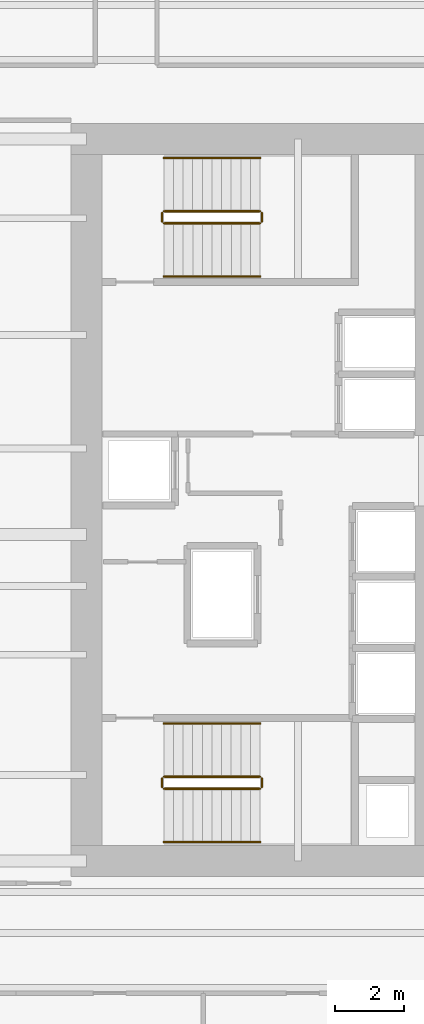
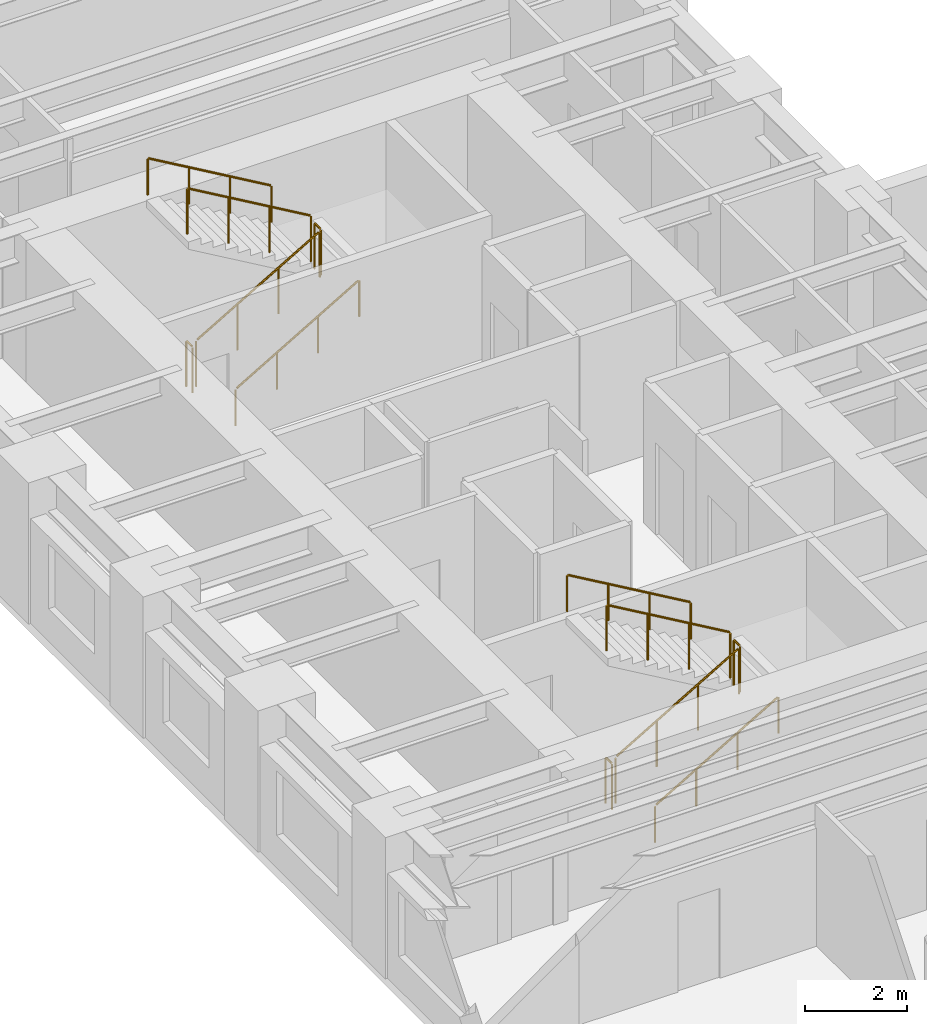
# One storey, part 13 of 14: 12 railings.
"""IFC4 building model written with IfcOpenShell, lengths in metres."""

from ifc_helpers import new_model, si_unit, direction, frame, origin, origin_2d, place, context, subcontext, project, spatial, circle, extrude, source, transform, mapped, material, layer, layer_set, type_object, element, save


model = new_model("IFC4")

# Units and contexts
model_context = context("Model", 3, precision=1e-05, world=origin(), true_north=direction((0.0, 1.0)))
body_context = subcontext(model_context, "Body", "Model", "MODEL_VIEW")
ifc_project = project(units=[si_unit("LENGTHUNIT", "METRE"), si_unit("AREAUNIT", "SQUARE_METRE"), si_unit("VOLUMEUNIT", "CUBIC_METRE"), si_unit("PLANEANGLEUNIT", "RADIAN"), si_unit("MASSUNIT", "GRAM", prefix="KILO")], contexts=[model_context])

# Site, building, storey
site_placement = place(None, origin())
site = spatial("IfcSite", under=ifc_project, at=site_placement, CompositionType="ELEMENT")
building_placement = place(site_placement, origin())
building = spatial("IfcBuilding", under=site, at=building_placement, Name="Kharzan Plaza Tower", CompositionType="ELEMENT")
storey_placement = place(building_placement, frame((0.0, 0.0, 44.10009765625)))
storey = spatial("IfcBuildingStorey", under=building, at=storey_placement, Name="L11", CompositionType="ELEMENT", Elevation=44.10009765625)

# Railings
ifc_material_1 = material(Name="Painted Galvanized Architectural Steel", Category="steel")
ifc_layer_1 = layer(ifc_material_1, 0.074951171875)
ifc_layer_set_1 = layer_set([ifc_layer_1], Name="Painted Galvanized Architectural Steel")
railing_type_1 = type_object("IfcRailingType", Name="RL-GUARD-1120", PredefinedType="BALUSTRADE", material=ifc_layer_set_1)
shared_shape_1 = source(origin(), body_context, "Body", "SweptSolid", [
    extrude(circle(Radius=0.02392578125, at=origin_2d()), frame((0.0, 0.0263671875, 1.09619140625), z_axis=(0.0, 1.0, 0.0), x_axis=(-1.0, 0.0, 0.0)), (0.0, 0.0, 1.0), 0.197021484375),
    extrude(circle(Radius=0.02099609375, at=origin_2d()), origin(), (0.0, 0.0, 1.0), 1.072021484375),
    extrude(circle(Radius=0.02099609375, at=origin_2d()), frame((0.0, 0.25, 0.0)), (0.0, 0.0, 1.0), 1.072021484375),
])
for number, where, name in (
    (1, (9.60009765625, 10.64990234375, 1.7998046875), "L11 ST-1 stair guard 2"),
    (2, (6.699951171875, 10.64990234375, 0.0), "L11 ST-1 stair guard 4"),
    (3, (9.60009765625, 27.10009765625, 1.7998046875), "L11 ST-2 stair guard 2"),
    (4, (6.699951171875, 27.10009765625, 0.0), "L11 ST-2 stair guard 4"),
):
    element("IfcRailing", number, at=place(storey_placement, frame(where)), inside=storey, type_object=railing_type_1, Name=name, PredefinedType="BALUSTRADE", context=body_context, shape_type="MappedRepresentation", body=[
        mapped(shared_shape_1, transform((0.0, 0.0, 0.0), x_axis=(1.0, 0.0, 0.0), y_axis=(0.0, 1.0, 0.0), z_axis=(0.0, 0.0, 1.0))),
    ])
shared_shape_2 = source(origin(), body_context, "Body", "SweptSolid", [
    extrude(circle(Radius=0.02392578125, at=origin_2d()), frame((0.02294921875, 0.0, 1.109375), z_axis=(0.863393664356, 0.0, 0.504530851732), x_axis=(0.0, 1.0, 0.0)), (0.0, 0.0, 1.0), 3.190185546875),
    extrude(circle(Radius=0.02099609375, at=origin_2d()), origin(), (0.0, 0.0, 1.0), 1.072021484375),
    extrude(circle(Radius=0.02099609375, at=origin_2d()), frame((0.933349609375, 0.0, 0.54541015625)), (0.0, 0.0, 1.0), 1.072021484375),
    extrude(circle(Radius=0.02099609375, at=origin_2d()), frame((1.86669921875, 0.0, 1.0908203125)), (0.0, 0.0, 1.0), 1.072021484375),
    extrude(circle(Radius=0.02099609375, at=origin_2d()), frame((2.800048828125, 0.0, 1.63623046875)), (0.0, 0.0, 1.0), 1.072021484375),
])
for number, where, name in (
    (5, (6.75, 10.60009765625, 0.16357421875), "L11 ST-1 stair guard 1"),
    (6, (6.75, 27.050048828125, 0.16357421875), "L11 ST-2 stair guard 1"),
):
    element("IfcRailing", number, at=place(storey_placement, frame(where)), inside=storey, type_object=railing_type_1, Name=name, PredefinedType="BALUSTRADE", context=body_context, shape_type="MappedRepresentation", body=[
        mapped(shared_shape_2, transform((0.0, 0.0, 0.0), x_axis=(1.0, 0.0, 0.0), y_axis=(0.0, 1.0, 0.0), z_axis=(0.0, 0.0, 1.0))),
    ])
shared_shape_3 = source(origin(), body_context, "Body", "SweptSolid", [
    extrude(circle(Radius=0.02392578125, at=origin_2d()), frame((-0.02294921875, 0.0, 1.109375), z_axis=(-0.863393664356, 0.0, 0.504530851732), x_axis=(0.0, -1.0, 0.0)), (0.0, 0.0, 1.0), 3.190185546875),
    extrude(circle(Radius=0.02099609375, at=origin_2d()), origin(), (0.0, 0.0, 1.0), 1.072021484375),
    extrude(circle(Radius=0.02099609375, at=origin_2d()), frame((-0.933349609375, 0.0, 0.54541015625)), (0.0, 0.0, 1.0), 1.072021484375),
    extrude(circle(Radius=0.02099609375, at=origin_2d()), frame((-1.86669921875, 0.0, 1.0908203125)), (0.0, 0.0, 1.0), 1.072021484375),
    extrude(circle(Radius=0.02099609375, at=origin_2d()), frame((-2.800048828125, 0.0, 1.63623046875)), (0.0, 0.0, 1.0), 1.072021484375),
])
for number, where, name in (
    (7, (9.550048828125, 10.949951171875, 1.963623046875), "L11 ST-1 stair guard 3"),
    (8, (9.550048828125, 27.39990234375, 1.963623046875), "L11 ST-2 stair guard 3"),
):
    element("IfcRailing", number, at=place(storey_placement, frame(where)), inside=storey, type_object=railing_type_1, Name=name, PredefinedType="BALUSTRADE", context=body_context, shape_type="MappedRepresentation", body=[
        mapped(shared_shape_3, transform((0.0, 0.0, 0.0), x_axis=(1.0, 0.0, 0.0), y_axis=(0.0, 1.0, 0.0), z_axis=(0.0, 0.0, 1.0))),
    ])
ifc_material_2 = material(Name="Brushed Stainless Steel", Category="steel")
ifc_layer_2 = layer(ifc_material_2, 0.050048828125)
ifc_layer_set_2 = layer_set([ifc_layer_2], Name="Brushed Stainless Steel")
railing_type_2 = type_object("IfcRailingType", Name="RL-STAIR-HR920", PredefinedType="HANDRAIL", material=ifc_layer_set_2)
shared_shape_4 = source(origin(), body_context, "Body", "SweptSolid", [
    extrude(circle(Radius=0.02392578125, at=origin_2d()), frame((0.02294921875, 0.0, 0.88916015625), z_axis=(0.863393664356, 0.0, 0.504530851732), x_axis=(0.0, 1.0, 0.0)), (0.0, 0.0, 1.0), 3.190185546875),
    extrude(circle(Radius=0.02099609375, at=origin_2d()), origin(), (0.0, 0.0, 1.0), 0.851806640625),
    extrude(circle(Radius=0.02099609375, at=origin_2d()), frame((0.933349609375, 0.0, 0.54541015625)), (0.0, 0.0, 1.0), 0.851806640625),
    extrude(circle(Radius=0.02099609375, at=origin_2d()), frame((1.86669921875, 0.0, 1.0908203125)), (0.0, 0.0, 1.0), 0.851806640625),
    extrude(circle(Radius=0.02099609375, at=origin_2d()), frame((2.800048828125, 0.0, 1.63623046875)), (0.0, 0.0, 1.0), 0.851806640625),
])
for number, where, name in (
    (9, (6.75, 9.050048828125, 0.16357421875), "L11 ST-1 stair handrail 1"),
    (10, (6.75, 25.5, 0.16357421875), "L11 ST-2 stair handrail 1"),
):
    element("IfcRailing", number, at=place(storey_placement, frame(where)), inside=storey, type_object=railing_type_2, Name=name, PredefinedType="HANDRAIL", context=body_context, shape_type="MappedRepresentation", body=[
        mapped(shared_shape_4, transform((0.0, 0.0, 0.0), x_axis=(1.0, 0.0, 0.0), y_axis=(0.0, 1.0, 0.0), z_axis=(0.0, 0.0, 1.0))),
    ])
shared_shape_5 = source(origin(), body_context, "Body", "SweptSolid", [
    extrude(circle(Radius=0.02392578125, at=origin_2d()), frame((-0.02294921875, 0.0, 0.88916015625), z_axis=(-0.863393664356, 0.0, 0.504530851732), x_axis=(0.0, -1.0, 0.0)), (0.0, 0.0, 1.0), 3.190185546875),
    extrude(circle(Radius=0.02099609375, at=origin_2d()), origin(), (0.0, 0.0, 1.0), 0.851806640625),
    extrude(circle(Radius=0.02099609375, at=origin_2d()), frame((-0.933349609375, 0.0, 0.54541015625)), (0.0, 0.0, 1.0), 0.851806640625),
    extrude(circle(Radius=0.02099609375, at=origin_2d()), frame((-1.86669921875, 0.0, 1.0908203125)), (0.0, 0.0, 1.0), 0.851806640625),
    extrude(circle(Radius=0.02099609375, at=origin_2d()), frame((-2.800048828125, 0.0, 1.63623046875)), (0.0, 0.0, 1.0), 0.851806640625),
])
for number, where, name in (
    (11, (9.550048828125, 12.5, 1.963623046875), "L11 ST-1 stair handrail 2"),
    (12, (9.550048828125, 28.949951171875, 1.963623046875), "L11 ST-2 stair handrail 2"),
):
    element("IfcRailing", number, at=place(storey_placement, frame(where)), inside=storey, type_object=railing_type_2, Name=name, PredefinedType="HANDRAIL", context=body_context, shape_type="MappedRepresentation", body=[
        mapped(shared_shape_5, transform((0.0, 0.0, 0.0), x_axis=(1.0, 0.0, 0.0), y_axis=(0.0, 1.0, 0.0), z_axis=(0.0, 0.0, 1.0))),
    ])

save(model, "model.ifc")
